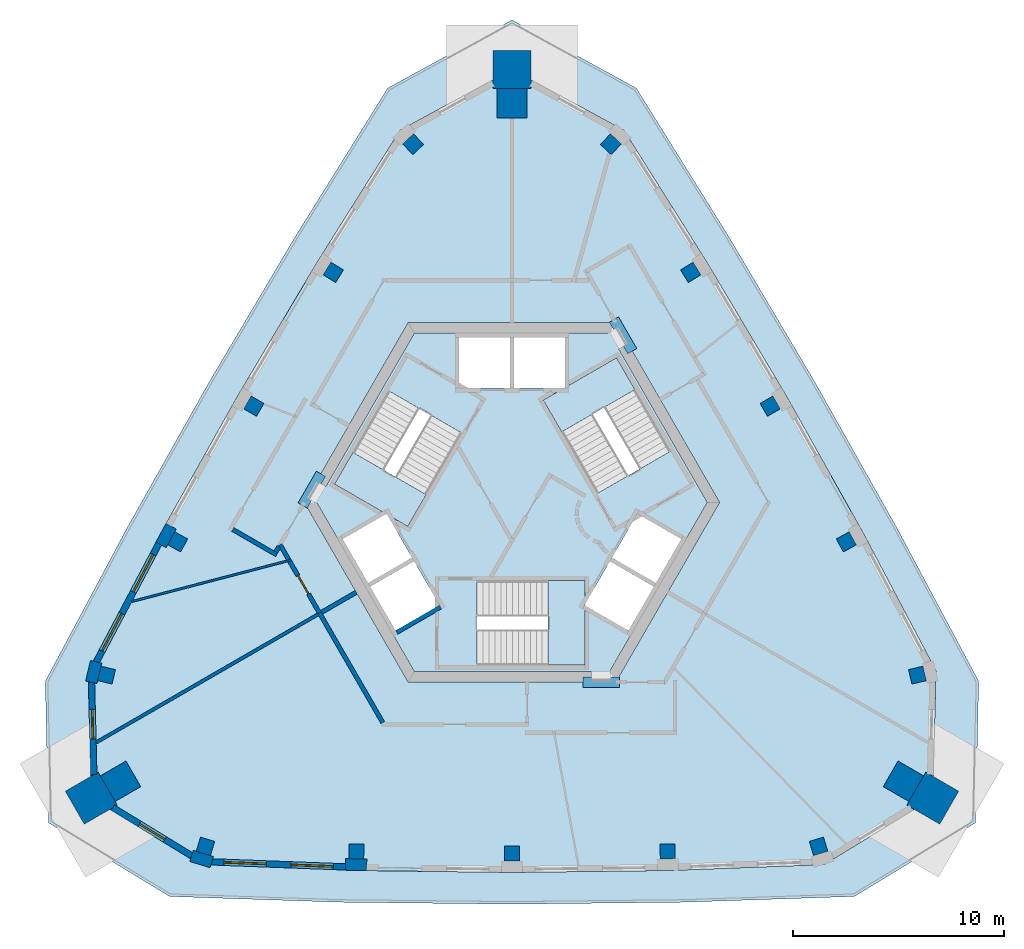
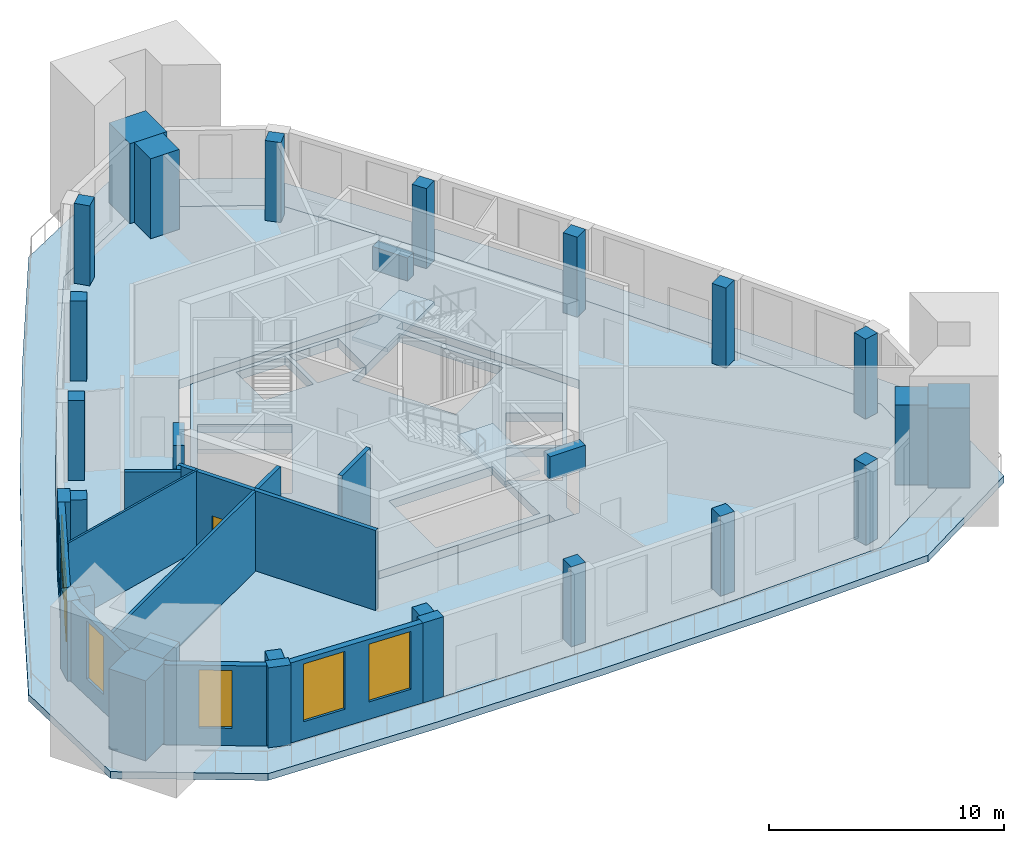
# One storey, part 1 of 7: 21 columns, 17 walls, 6 slabs, 6 windows, 3 beams, 1 door, 7 openings, 3 elements without a shape of their own.
"""IFC4 building model written with IfcOpenShell, lengths in metres."""

from ifc_helpers import new_model, si_unit, direction, frame, frame_2d, origin, origin_2d, place, context, subcontext, project, spatial, polyline, rectangle, outline, extrude, material, layer, layer_set, material_profile, profile_set, type_object, element, fill, aggregate, save


model = new_model("IFC4")

# Units and contexts
model_context = context("Model", 3, precision=1e-05, world=origin(), true_north=direction((0.0, 1.0)))
body_context = subcontext(model_context, "Body", "Model", "MODEL_VIEW")
ifc_project = project(units=[si_unit("LENGTHUNIT", "METRE"), si_unit("AREAUNIT", "SQUARE_METRE"), si_unit("VOLUMEUNIT", "CUBIC_METRE"), si_unit("PLANEANGLEUNIT", "RADIAN"), si_unit("MASSUNIT", "GRAM", prefix="KILO")], contexts=[model_context])

# Site, building, storey
site_placement = place(None, origin())
site = spatial("IfcSite", under=ifc_project, at=site_placement, CompositionType="ELEMENT")
building_placement = place(site_placement, origin())
building = spatial("IfcBuilding", under=site, at=building_placement, Name="Entoto Arch Interchange Tower", CompositionType="ELEMENT")
storey_placement = place(building_placement, frame((0.0, 0.0, 340.39990234375)))
storey = spatial("IfcBuildingStorey", under=building, at=storey_placement, Name="L80", CompositionType="ELEMENT", Elevation=340.39990234375)

# Columns
ifc_material_1 = material(Name="Concrete C40/50", Category="concrete")
ifc_material_profile_1 = material_profile(ifc_material_1, rectangle(XDim=0.699951171875, YDim=0.699951171875, at=origin_2d()))
ifc_profile_set_1 = profile_set([ifc_material_profile_1], Name="Concrete C40/50")
column_type_1 = type_object("IfcColumnType", Name="Column RC 700x700 C40/50", PredefinedType="COLUMN", material=ifc_profile_set_1)
for number, where, z_axis, x_axis, name in (
    (1, (-14.4970703125, -13.76806640625, 0.0), (0.0, 0.0, 1.0), (-0.957344716669, 0.288948253958, 0.0), "Column S01 L80"),
    (2, (-7.35595703125, -14.008056640625, 0.0), (0.0, 0.0, 1.0), (-0.999685941259, 0.02506030426, 0.0), "Column S02 L80"),
    (3, (0.0, -14.10009765625, 0.0), (0.0, 0.0, 1.0), (1.0, 0.0, 0.0), "Column S03 L80"),
    (4, (7.35595703125, -14.008056640625, 0.0), (0.0, 0.0, 1.0), (0.999685941259, 0.02506030426, 0.0), "Column S04 L80"),
    (5, (14.4970703125, -13.76806640625, 0.0), (0.0, 0.0, 1.0), (0.957344716669, 0.288948253958, 0.0), "Column S05 L80"),
    (6, (19.173095703125, -5.6708984375, 0.0), (0.0, 0.0, 1.0), (-0.228435830028, 0.973558971793, 0.0), "Column NE01 L80"),
    (7, (15.81103515625, 0.632080078125, 0.0), (0.0, 0.0, 1.0), (-0.478140110514, 0.878283573066, 0.0), "Column NE02 L80"),
    (8, (12.2109375, 7.050048828125, 0.0), (0.0, 0.0, 1.0), (-0.5, 0.866025403784, 0.0), "Column NE03 L80"),
    (9, (8.451904296875, 13.376953125, 0.0), (0.0, 0.0, 1.0), (-0.521545830745, 0.853223268806, 0.0), "Column NE04 L80"),
    (10, (4.675048828125, 19.43896484375, 0.0), (0.0, 0.0, 1.0), (-0.728908886641, 0.684610717836, 0.0), "Column NE05 L80"),
    (11, (-4.675048828125, 19.43896484375, 0.0), (0.0, 0.0, 1.0), (0.728908886641, 0.684610717836, 0.0), "Column NW01 L80"),
    (12, (-8.451904296875, 13.376953125, 0.0), (0.0, 0.0, 1.0), (0.521545830745, 0.853223268806, 0.0), "Column NW02 L80"),
    (13, (-12.2109375, 7.050048828125, 0.0), (0.0, 0.0, 1.0), (0.5, 0.866025403784, 0.0), "Column NW03 L80"),
    (14, (-15.81103515625, 0.632080078125, 0.0), (0.0, 0.0, 1.0), (0.478140110514, 0.878283573066, 0.0), "Column NW04 L80"),
    (15, (-19.173095703125, -5.6708984375, 0.0), (0.0, 0.0, 1.0), (0.228435830028, 0.973558971793, 0.0), "Column NW05 L80"),
):
    element("IfcColumn", number, at=place(storey_placement, frame(where, z_axis=z_axis, x_axis=x_axis)), inside=storey, type_object=column_type_1, Name=name, PredefinedType="COLUMN", context=body_context, shape_type="SweptSolid", body=[
        extrude(rectangle(XDim=0.699951171875, YDim=0.699951171875, at=origin_2d()), origin(), (0.0, 0.0, 1.0), 4.150146484375),
    ])
ifc_material_2 = material(Name="Precast concrete C40/50", Category="concrete")
ifc_material_profile_2 = material_profile(ifc_material_2, rectangle(XDim=1.800048828125, YDim=1.800048828125, at=origin_2d()))
ifc_profile_set_2 = profile_set([ifc_material_profile_2], Name="Precast concrete C40/50")
column_type_2 = type_object("IfcColumnType", Name="Frame post RC 1800x1800 precast C40/50", PredefinedType="COLUMN", material=ifc_profile_set_2)
for number, where, z_axis, x_axis, name in (
    (16, (19.89794921875, -11.488037109375, 0.0), (0.0, 0.0, 1.0), (-0.866025403784, 0.5, 0.0), "Frame post SE L80"),
    (17, (0.0, 22.97607421875, 0.0), (0.0, 0.0, 1.0), (0.0, 1.0, 0.0), "Frame post N L80"),
    (18, (-19.89794921875, -11.488037109375, 0.0), (0.0, 0.0, 1.0), (0.866025403784, 0.5, 0.0), "Frame post SW L80"),
):
    element("IfcColumn", number, at=place(storey_placement, frame(where, z_axis=z_axis, x_axis=x_axis)), inside=storey, type_object=column_type_2, Name=name, PredefinedType="COLUMN", context=body_context, shape_type="SweptSolid", body=[
        extrude(rectangle(XDim=1.800048828125, YDim=1.800048828125, at=origin_2d()), origin(), (0.0, 0.0, 1.0), 4.150146484375),
    ])
ifc_material_profile_3 = material_profile(ifc_material_1, rectangle(XDim=1.39990234375, YDim=1.39990234375, at=origin_2d()))
ifc_profile_set_3 = profile_set([ifc_material_profile_3], Name="Concrete C40/50")
column_type_3 = type_object("IfcColumnType", Name="Mega column RC 1400x1400 C40/50", PredefinedType="COLUMN", material=ifc_profile_set_3)
for number, where, z_axis, x_axis, name in (
    (19, (18.511962890625, -10.68798828125, 0.0), (0.0, 0.0, 1.0), (-0.866025403784, 0.5, 0.0), "Corner mega column SE1 L80"),
    (20, (0.0, 21.3759765625, 0.0), (0.0, 0.0, 1.0), (0.0, 1.0, 0.0), "Corner mega column N1 L80"),
    (21, (-18.511962890625, -10.68798828125, 0.0), (0.0, 0.0, 1.0), (0.866025403784, 0.5, 0.0), "Corner mega column SW1 L80"),
):
    element("IfcColumn", number, at=place(storey_placement, frame(where, z_axis=z_axis, x_axis=x_axis)), inside=storey, type_object=column_type_3, Name=name, PredefinedType="COLUMN", context=body_context, shape_type="SweptSolid", body=[
        extrude(rectangle(XDim=1.39990234375, YDim=1.39990234375, at=origin_2d()), origin(), (0.0, 0.0, 1.0), 4.150146484375),
    ])

# Beams
ifc_material_profile_4 = material_profile(ifc_material_1, rectangle(XDim=0.5, YDim=1.199951171875, at=origin_2d()))
ifc_profile_set_4 = profile_set([ifc_material_profile_4], Name="Concrete C40/50")
beam_type = type_object("IfcBeamType", Name="Coupling beam RC 500x1200 C40/50", PredefinedType="BEAM", material=ifc_profile_set_4)
for number, where, z_axis, x_axis, name in (
    (22, (5.68603515625, 9.65087890625, 3.0), (-0.500105721196, 0.865964357019, 0.0), (-0.865964357019, -0.500105721196, 0.0), "Coupling beam NE L80"),
    (23, (-9.035888671875, 3.84912109375, 3.0), (-0.500105721196, -0.865964357019, 0.0), (0.865964357019, -0.500105721196, 0.0), "Coupling beam NW L80"),
):
    element("IfcBeam", number, at=place(storey_placement, frame(where, z_axis=z_axis, x_axis=x_axis)), inside=storey, type_object=beam_type, Name=name, PredefinedType="BEAM", context=body_context, shape_type="SweptSolid", body=[
        extrude(rectangle(XDim=0.5, YDim=1.199951171875, at=origin_2d()), origin(), (0.0, 0.0, 1.0), 1.727783203125),
    ])
beam_placement = place(storey_placement, frame((3.35009765625, -6.0, 3.0), z_axis=(1.0, 0.0, 0.0), x_axis=(0.0, 1.0, 0.0)))
element("IfcBeam", 24, at=beam_placement, inside=storey, type_object=beam_type, Name="Coupling beam S L80", PredefinedType="BEAM", context=body_context, shape_type="SweptSolid", body=[
    extrude(rectangle(XDim=0.5, YDim=1.199951171875, at=origin_2d()), origin(), (0.0, 0.0, 1.0), 1.725830078125),
])

# Slab
ifc_layer_1 = layer(ifc_material_1, 0.449951171875)
ifc_layer_set_1 = layer_set([ifc_layer_1], Name="Concrete C40/50")
slab_type_1 = type_object("IfcSlabType", Name="Core floor slab 450 C40/50", PredefinedType="FLOOR", material=ifc_layer_set_1)
slab_1_placement = place(storey_placement, frame((0.0, 0.0, -0.449951171875)))
element("IfcSlab", 25, at=slab_1_placement, inside=storey, type_object=slab_type_1, Name="Core floor slab L80", PredefinedType="FLOOR", context=body_context, shape_type="SweptSolid", body=[
    extrude(outline(polyline([(-9.208984375, 2.449951171875), (-9.222900390625, 2.425048828125), (-9.699951171875, 2.699951171875), (-9.236083984375, 3.501953125), (-8.802978515625, 3.2529296875), (-4.618896484375, 10.5), (4.56103515625, 10.5), (4.5458984375, 10.52490234375), (5.02197265625, 10.800048828125), (5.486083984375, 9.998046875), (5.052978515625, 9.748046875), (9.238037109375, 2.5), (4.64794921875, -5.449951171875), (4.676025390625, -5.449951171875), (4.676025390625, -6.0), (3.75, -6.0), (3.75, -5.5), (-4.618896484375, -5.5), (-9.208984375, 2.449951171875)]), holes=[polyline([(-1.64990234375, -5.199951171875), (3.449951171875, -5.199951171875), (3.449951171875, -2.3779296875), (5.5048828125, -3.56494140625), (6.705078125, -1.487060546875), (4.626953125, -0.287109375), (3.449951171875, -2.324951171875), (3.449951171875, -1.199951171875), (-1.64990234375, -1.199951171875), (-1.64990234375, -5.199951171875)]), polyline([(-4.626953125, -0.287109375), (-6.705078125, -1.487060546875), (-5.5048828125, -3.56494140625), (-3.427001953125, -2.364990234375), (-4.626953125, -0.287109375)]), polyline([(-5.904052734375, 1.925048828125), (-4.928955078125, 1.362060546875), (-2.37890625, 5.779052734375), (-5.843017578125, 7.779052734375), (-8.39306640625, 3.362060546875), (-5.949951171875, 1.951904296875), (-8.0048828125, 0.764892578125), (-6.804931640625, -1.31298828125), (-4.72705078125, -0.113037109375), (-5.904052734375, 1.925048828125)]), polyline([(4.72705078125, -0.113037109375), (6.804931640625, -1.31298828125), (8.0048828125, 0.764892578125), (5.927001953125, 1.965087890625), (4.72705078125, -0.113037109375)]), polyline([(2.5, 7.927001953125), (2.5, 10.300048828125), (0.10009765625, 10.300048828125), (0.10009765625, 7.89990234375), (2.452880859375, 7.89990234375), (1.47900390625, 7.337890625), (4.029052734375, 2.9208984375), (7.492919921875, 4.9208984375), (4.943115234375, 9.337890625), (2.5, 7.927001953125)]), polyline([(-2.5, 7.89990234375), (-0.10009765625, 7.89990234375), (-0.10009765625, 10.300048828125), (-2.5, 10.300048828125), (-2.5, 7.89990234375)])]), origin(), (0.0, 0.0, 1.0), 0.449951171875),
])

# Stair, slab
stair_type = type_object("IfcStairType", Name="EXIT STAIR RC 1700", PredefinedType="HALF_TURN_STAIR", material=ifc_material_1)
stair_1_placement = place(storey_placement, origin())
stair_1 = element("IfcStair", 26, at=stair_1_placement, inside=storey, type_object=stair_type, Name="L80 Exit stair S", PredefinedType="HALF_TURN_STAIR")
ifc_layer_2 = layer(ifc_material_1, 0.199951171875)
ifc_layer_set_2 = layer_set([ifc_layer_2], Name="Concrete C40/50")
slab_type_2 = type_object("IfcSlabType", Name="EXIT STAIR LANDING RC 200", PredefinedType="LANDING", material=ifc_layer_set_2)
slab_2_placement = place(storey_placement, frame((0.0, 0.0, 2.050048828125)))
slab_2 = element("IfcSlab", 27, at=slab_2_placement, type_object=slab_type_2, Name="ST-S landing 1", PredefinedType="LANDING", context=body_context, shape_type="SweptSolid", body=[
    extrude(outline(polyline([(1.7099609375, -5.199951171875), (3.449951171875, -5.199951171875), (3.449951171875, -1.199951171875), (1.7099609375, -1.199951171875), (1.7099609375, -5.199951171875)])), origin(), (0.0, 0.0, 1.0), 0.199951171875),
])
aggregate(stair_1, [slab_2])

stair_2_placement = place(storey_placement, origin())
stair_2 = element("IfcStair", 28, at=stair_2_placement, inside=storey, type_object=stair_type, Name="L80 Exit stair NE", PredefinedType="HALF_TURN_STAIR")
slab_3_placement = place(storey_placement, frame((0.0, 0.0, 2.050048828125)))
slab_3 = element("IfcSlab", 29, at=slab_3_placement, type_object=slab_type_2, Name="ST-NE landing 1", PredefinedType="LANDING", context=body_context, shape_type="SweptSolid", body=[
    extrude(outline(polyline([(5.8134765625, 7.830810546875), (4.943359375, 9.337890625), (1.479248046875, 7.337890625), (2.349365234375, 5.830810546875), (5.8134765625, 7.830810546875)])), origin(), (0.0, 0.0, 1.0), 0.199951171875),
])
aggregate(stair_2, [slab_3])

stair_3_placement = place(storey_placement, origin())
stair_3 = element("IfcStair", 30, at=stair_3_placement, inside=storey, type_object=stair_type, Name="L80 Exit stair NW", PredefinedType="HALF_TURN_STAIR")
slab_4_placement = place(storey_placement, frame((0.0, 0.0, 2.050048828125)))
slab_4 = element("IfcSlab", 31, at=slab_4_placement, type_object=slab_type_2, Name="ST-NW landing 1", PredefinedType="LANDING", context=body_context, shape_type="SweptSolid", body=[
    extrude(outline(polyline([(-7.5234375, 4.869140625), (-8.393310546875, 3.3623046875), (-4.92919921875, 1.3623046875), (-4.059326171875, 2.869140625), (-7.5234375, 4.869140625)])), origin(), (0.0, 0.0, 1.0), 0.199951171875),
])
aggregate(stair_3, [slab_4])

# Slabs
ifc_layer_3 = layer(ifc_material_1, 0.449951171875)
ifc_layer_set_3 = layer_set([ifc_layer_3], Name="Concrete C40/50")
slab_type_3 = type_object("IfcSlabType", Name="Post-tensioned flat plate 450 C40/50", PredefinedType="FLOOR", material=ifc_layer_set_3)
slab_5_placement = place(storey_placement, frame((0.0, 0.0, -0.449951171875)))
element("IfcSlab", 32, at=slab_5_placement, inside=storey, type_object=slab_type_3, Name="Floor slab L80", PredefinedType="FLOOR", context=body_context, shape_type="SweptSolid", body=[
    extrude(outline(polyline([(-14.757080078125, -14.6298828125), (-7.37890625, -14.907958984375), (0.0, -15.0), (7.37890625, -14.907958984375), (14.757080078125, -14.6298828125), (19.89794921875, -11.488037109375), (20.049072265625, -5.465087890625), (16.60107421875, 1.06201171875), (12.989990234375, 7.5), (9.219970703125, 13.845947265625), (5.291015625, 20.094970703125), (0.0, 22.97607421875), (-5.291015625, 20.094970703125), (-9.219970703125, 13.845947265625), (-12.989990234375, 7.5), (-16.60107421875, 1.06201171875), (-20.049072265625, -5.465087890625), (-19.89794921875, -11.488037109375), (-14.757080078125, -14.6298828125)]), holes=[polyline([(4.906982421875, 11.0), (-4.906982421875, 11.0), (-9.81494140625, 2.5), (-4.906982421875, -6.0), (4.906982421875, -6.0), (9.81494140625, 2.5), (4.906982421875, 11.0)])]), origin(), (0.0, 0.0, 1.0), 0.449951171875),
])
ifc_material_3 = material(Name="Board-marked precast concrete C50/60", Category="concrete")
ifc_layer_4 = layer(ifc_material_3, 0.35009765625)
ifc_layer_set_4 = layer_set([ifc_layer_4], Name="Board-marked precast concrete C50/60")
slab_type_4 = type_object("IfcSlabType", Name="TERRACE SLAB 350", PredefinedType="FLOOR", material=ifc_layer_set_4)
slab_6_placement = place(storey_placement, frame((0.0, 0.0, -0.349853515625)))
element("IfcSlab", 33, at=slab_6_placement, inside=storey, type_object=slab_type_4, Name="Crown terrace slab L80", PredefinedType="FLOOR", context=body_context, shape_type="SweptSolid", body=[
    extrude(outline(polyline([(-21.9208984375, -12.656005859375), (-22.071044921875, -5.9560546875), (-18.260009765625, 1.19091796875), (-14.2890625, 8.25), (-10.160888671875, 15.218017578125), (-5.8779296875, 22.092041015625), (0.0, 25.31201171875), (5.8779296875, 22.092041015625), (10.160888671875, 15.218017578125), (14.2890625, 8.25), (18.260009765625, 1.19091796875), (22.071044921875, -5.9560546875), (21.9208984375, -12.656005859375), (16.193115234375, -16.135986328125), (8.096923828125, -16.408935546875), (0.0, -16.5), (-8.096923828125, -16.408935546875), (-16.193115234375, -16.135986328125), (-21.9208984375, -12.656005859375)]), holes=[polyline([(-7.37890625, -14.907958984375), (0.0, -15.0), (7.37890625, -14.907958984375), (14.757080078125, -14.6298828125), (19.89794921875, -11.488037109375), (20.049072265625, -5.465087890625), (16.60107421875, 1.06201171875), (12.989990234375, 7.5), (9.219970703125, 13.845947265625), (5.291015625, 20.094970703125), (0.0, 22.97607421875), (-5.291015625, 20.094970703125), (-9.219970703125, 13.845947265625), (-12.989990234375, 7.5), (-16.60107421875, 1.06201171875), (-20.049072265625, -5.465087890625), (-19.89794921875, -11.488037109375), (-14.757080078125, -14.6298828125), (-7.37890625, -14.907958984375)])]), origin(), (0.0, 0.0, 1.0), 0.349853515625),
])

# Walls
ifc_layer_5 = layer(ifc_material_1, 0.199951171875)
ifc_layer_set_5 = layer_set([ifc_layer_5], Name="Concrete C40/50")
wall_type_1 = type_object("IfcWallType", Name="LIFT SHAFT WALL 200", PredefinedType="STANDARD", material=ifc_layer_set_5)
wall_1_placement = place(storey_placement, frame((-3.376953125, -2.451904296875, 0.0), z_axis=(0.0, 0.0, 1.0), x_axis=(-0.865955154139, -0.50012165622, 0.0)))
element("IfcWall", 34, at=wall_1_placement, inside=storey, type_object=wall_type_1, Name="Shaft wall SW1 cross 3", PredefinedType="STANDARD", context=body_context, shape_type="SweptSolid", body=[
    extrude(rectangle(XDim=2.39990234375, YDim=0.199951171875, at=frame_2d((1.199951171875, 0.0))), origin(), (0.0, 0.0, 1.0), 4.150146484375),
])
ifc_material_4 = material(Name="Gypsum board partition on steel studs", Category="steel")
ifc_layer_6 = layer(ifc_material_4, 0.10009765625)
ifc_layer_set_6 = layer_set([ifc_layer_6], Name="Gypsum board partition on steel studs")
wall_type_2 = type_object("IfcWallType", Name="PARTITION 100", PredefinedType="PARTITIONING", material=ifc_layer_set_6)
wall_2_placement = place(storey_placement, frame((-10.44091796875, -0.222900390625, 0.0), z_axis=(0.0, 0.0, 1.0), x_axis=(-0.967629585061, -0.252374693888, 0.0)))
element("IfcWall", 35, at=wall_2_placement, inside=storey, type_object=wall_type_2, Name="wall:L80:p050", PredefinedType="PARTITIONING", context=body_context, shape_type="SweptSolid", body=[
    extrude(rectangle(XDim=7.790283203125, YDim=0.10009765625, at=frame_2d((3.89501953125, 0.0))), origin(), (0.0, 0.0, 1.0), 4.150146484375),
])
ifc_layer_7 = layer(ifc_material_4, 0.14990234375)
ifc_layer_set_7 = layer_set([ifc_layer_7], Name="Gypsum board partition on steel studs")
wall_type_3 = type_object("IfcWallType", Name="PARTITION 150", PredefinedType="PARTITIONING", material=ifc_layer_set_7)
wall_3_placement = place(storey_placement, frame((-19.6640625, -8.85302734375, 0.0), z_axis=(0.0, 0.0, 1.0), x_axis=(0.866035935173, 0.499981758657, 0.0)))
element("IfcWall", 36, at=wall_3_placement, inside=storey, type_object=wall_type_3, Name="wall:L80:p025", PredefinedType="PARTITIONING", context=body_context, shape_type="SweptSolid", body=[
    extrude(rectangle(XDim=12.306640625, YDim=0.14990234375, at=frame_2d((6.1533203125, 0.0))), origin(), (0.0, 0.0, 1.0), 4.150146484375),
])
ifc_layer_8 = layer(ifc_material_4, 0.199951171875)
ifc_layer_set_8 = layer_set([ifc_layer_8], Name="Gypsum board partition on steel studs")
wall_type_4 = type_object("IfcWallType", Name="PARTITION 200", PredefinedType="PARTITIONING", material=ifc_layer_set_8)
wall_4_placement = place(storey_placement, frame((-6.112060546875, -7.9130859375, 0.0), z_axis=(0.0, 0.0, 1.0), x_axis=(-0.499915430684, 0.866074224396, 0.0)))
element("IfcWall", 37, at=wall_4_placement, inside=storey, type_object=wall_type_4, Name="wall:L80:p019", PredefinedType="PARTITIONING", context=body_context, shape_type="SweptSolid", body=[
    extrude(rectangle(XDim=5.98681640625, YDim=0.199951171875, at=frame_2d((2.993408203125, 0.0))), origin(), (0.0, 0.0, 1.0), 4.150146484375),
])
wall_5_placement = place(storey_placement, frame((-9.006103515625, -2.699951171875, 0.0), z_axis=(0.0, 0.0, 1.0), x_axis=(0.865980106173, 0.500078449558, 0.0)))
element("IfcWall", 38, at=wall_5_placement, inside=storey, type_object=wall_type_4, Name="wall:L80:p020", PredefinedType="PARTITIONING", context=body_context, shape_type="SweptSolid", body=[
    extrude(rectangle(XDim=1.899658203125, YDim=0.199951171875, at=frame_2d((0.94970703125, 0.0))), origin(), (0.0, 0.0, 1.0), 4.150146484375),
])
wall_6_placement = place(storey_placement, frame((-11.02001953125, 0.4130859375, 0.0), z_axis=(0.0, 0.0, 1.0), x_axis=(-0.500222587251, -0.865896854829, 0.0)))
element("IfcWall", 39, at=wall_6_placement, inside=storey, type_object=wall_type_4, Name="wall:L80:p041", PredefinedType="PARTITIONING", context=body_context, shape_type="SweptSolid", body=[
    extrude(rectangle(XDim=0.295654296875, YDim=0.199951171875, at=frame_2d((0.14794921875, 0.0))), origin(), (0.0, 0.0, 1.0), 4.150146484375),
])
wall_7_placement = place(storey_placement, frame((-11.131103515625, 0.02001953125, 0.0), z_axis=(0.0, 0.0, 1.0), x_axis=(-0.865973769406, 0.500089422704, 0.0)))
element("IfcWall", 40, at=wall_7_placement, inside=storey, type_object=wall_type_4, Name="wall:L80:p042", PredefinedType="PARTITIONING", context=body_context, shape_type="SweptSolid", body=[
    extrude(rectangle(XDim=2.3994140625, YDim=0.199951171875, at=frame_2d((1.19970703125, 0.0))), origin(), (0.0, 0.0, 1.0), 4.150146484375),
])
wall_8_placement = place(storey_placement, frame((-10.56298828125, -0.205078125, 0.0), z_axis=(0.0, 0.0, 1.0), x_axis=(-0.499912825186, 0.866075728337, 0.0)))
element("IfcWall", 41, at=wall_8_placement, inside=storey, type_object=wall_type_4, Name="wall:L80:p047", PredefinedType="PARTITIONING", context=body_context, shape_type="SweptSolid", body=[
    extrude(rectangle(XDim=0.814208984375, YDim=0.199951171875, at=frame_2d((0.4072265625, 0.0))), origin(), (0.0, 0.0, 1.0), 4.150146484375),
])

# Wall, opening, door
wall_9_placement = place(storey_placement, frame((-9.10498046875, -2.72802734375, 0.0), z_axis=(0.0, 0.0, 1.0), x_axis=(-0.500253029287, 0.865879267963, 0.0)))
wall_9 = element("IfcWall", 42, at=wall_9_placement, inside=storey, type_object=wall_type_4, Name="wall:L80:p048", PredefinedType="PARTITIONING", context=body_context, shape_type="SweptSolid", body=[
    extrude(rectangle(XDim=2.814453125, YDim=0.199951171875, at=frame_2d((1.4072265625, 0.0))), origin(), (0.0, 0.0, 1.0), 4.150146484375),
])
opening_1_placement = place(wall_9_placement, frame((1.033935546875, 0.0, 0.0)))
opening_1 = element("IfcOpeningElement", 43, at=opening_1_placement, cuts=wall_9, Name="Opening L80-D15", PredefinedType="OPENING", context=body_context, shape_type="SweptSolid", body=[
    extrude(rectangle(XDim=1.0, YDim=2.10009765625, at=frame_2d((0.5, 1.050048828125))), frame((0.0, 0.10986328125, 0.0), z_axis=(0.0, -1.0, 0.0), x_axis=(1.0, 0.0, 0.0)), (0.0, 0.0, 1.0), 0.219970703125),
])
ifc_material_5 = material(Name="Timber door leaf in Steel S235 frame", Category="steel")
door_type = type_object("IfcDoorType", Name="DOOR DS-10 1000x2100", OperationType="SINGLE_SWING_LEFT", PredefinedType="DOOR", material=ifc_material_5)
door_placement = place(opening_1_placement, origin())
door = element("IfcDoor", 44, at=door_placement, inside=storey, type_object=door_type, Name="door:L80:15", OperationType="SINGLE_SWING_LEFT", OverallHeight=2.10009765625, OverallWidth=1.0, PredefinedType="DOOR", context=body_context, shape_type="SweptSolid", body=[
    extrude(rectangle(XDim=1.0, YDim=2.10009765625, at=frame_2d((0.5, 1.050048828125))), frame((0.0, 0.02490234375, 0.0), z_axis=(0.0, -1.0, 0.0), x_axis=(1.0, 0.0, 0.0)), (0.0, 0.0, 1.0), 0.050048828125),
])
fill(opening_1, door)

# Wall, openings, windows
ifc_material_6 = material(Name="Welded tuff (ignimbrite) cladding, warm buff", Category="masonry")
ifc_layer_9 = layer(ifc_material_6, 0.300048828125)
ifc_layer_set_9 = layer_set([ifc_layer_9], Name="Welded tuff (ignimbrite) cladding, warm buff")
wall_type_5 = type_object("IfcWallType", Name="STONE INFILL WALL 300", PredefinedType="STANDARD", material=ifc_layer_set_9)
wall_10_placement = place(storey_placement, frame((-14.197021484375, -14.5009765625, 0.0), z_axis=(0.0, 0.0, 1.0), x_axis=(0.999292132587, -0.03761959262, 0.0)))
wall_10 = element("IfcWall", 45, at=wall_10_placement, inside=storey, type_object=wall_type_5, Name="Facade wall S-01 L80", PredefinedType="STANDARD", context=body_context, shape_type="SweptSolid", body=[
    extrude(rectangle(XDim=6.327392578125, YDim=0.300048828125, at=frame_2d((3.16357421875, 0.0))), origin(), (0.0, 0.0, 1.0), 4.150146484375),
])
opening_2_placement = place(wall_10_placement, frame((0.58203125, 0.0, 0.89990234375)))
opening_2 = element("IfcOpeningElement", 46, at=opening_2_placement, cuts=wall_10, Name="Opening WK-C", PredefinedType="OPENING", context=body_context, shape_type="SweptSolid", body=[
    extrude(rectangle(XDim=2.0, YDim=3.0, at=frame_2d((1.0, 1.5))), frame((0.0, 0.16015625, 0.0), z_axis=(0.0, -1.0, 0.0), x_axis=(1.0, 0.0, 0.0)), (0.0, 0.0, 1.0), 0.320068359375),
])
opening_3_placement = place(wall_10_placement, frame((3.74609375, 0.0, 0.89990234375)))
opening_3 = element("IfcOpeningElement", 47, at=opening_3_placement, cuts=wall_10, Name="Opening WK-C", PredefinedType="OPENING", context=body_context, shape_type="SweptSolid", body=[
    extrude(rectangle(XDim=2.0, YDim=3.0, at=frame_2d((1.0, 1.5))), frame((0.0, 0.16015625, 0.0), z_axis=(0.0, -1.0, 0.0), x_axis=(1.0, 0.0, 0.0)), (0.0, 0.0, 1.0), 0.320068359375),
])
ifc_material_7 = material(Name="Clear glass, low-e double glazed", Category="glass")
window_type_1 = type_object("IfcWindowType", Name="WINDOW WK-C 2000x3000", PartitioningType="DOUBLE_PANEL_VERTICAL", PredefinedType="WINDOW", material=ifc_material_7)
window_1_placement = place(opening_2_placement, origin())
window_1 = element("IfcWindow", 48, at=window_1_placement, inside=storey, type_object=window_type_1, Name="Window WK-C S-01 L80", OverallHeight=3.0, OverallWidth=2.0, PartitioningType="SINGLE_PANEL", PredefinedType="WINDOW", context=body_context, shape_type="SweptSolid", body=[
    extrude(rectangle(XDim=2.0, YDim=3.0, at=frame_2d((1.0, 1.5))), frame((0.0, 0.030029296875, 0.0), z_axis=(0.0, -1.0, 0.0), x_axis=(1.0, 0.0, 0.0)), (0.0, 0.0, 1.0), 0.06005859375),
])
fill(opening_2, window_1)
window_2_placement = place(opening_3_placement, origin())
window_2 = element("IfcWindow", 49, at=window_2_placement, inside=storey, type_object=window_type_1, Name="Window WK-C S-01 L80", OverallHeight=3.0, OverallWidth=2.0, PartitioningType="SINGLE_PANEL", PredefinedType="WINDOW", context=body_context, shape_type="SweptSolid", body=[
    extrude(rectangle(XDim=2.0, YDim=3.0, at=frame_2d((1.0, 1.5))), frame((0.0, 0.030029296875, 0.0), z_axis=(0.0, -1.0, 0.0), x_axis=(1.0, 0.0, 0.0)), (0.0, 0.0, 1.0), 0.06005859375),
])
fill(opening_3, window_2)

wall_11_placement = place(storey_placement, frame((-16.701904296875, 0.549072265625, 0.0), z_axis=(0.0, 0.0, 1.0), x_axis=(-0.467155191513, -0.884175337274, 0.0)))
wall_11 = element("IfcWall", 50, at=wall_11_placement, inside=storey, type_object=wall_type_5, Name="Facade wall NW-04 L80", PredefinedType="STANDARD", context=body_context, shape_type="SweptSolid", body=[
    extrude(rectangle(XDim=6.32568359375, YDim=0.300048828125, at=frame_2d((3.162841796875, 0.0))), origin(), (0.0, 0.0, 1.0), 4.150146484375),
])
opening_4_placement = place(wall_11_placement, frame((0.5810546875, 0.0, 0.89990234375)))
opening_4 = element("IfcOpeningElement", 51, at=opening_4_placement, cuts=wall_11, Name="Opening WK-C", PredefinedType="OPENING", context=body_context, shape_type="SweptSolid", body=[
    extrude(rectangle(XDim=2.0, YDim=3.0, at=frame_2d((1.0, 1.5))), frame((0.0, 0.16015625, 0.0), z_axis=(0.0, -1.0, 0.0), x_axis=(1.0, 0.0, 0.0)), (0.0, 0.0, 1.0), 0.320068359375),
])
opening_5_placement = place(wall_11_placement, frame((3.743896484375, 0.0, 0.89990234375)))
opening_5 = element("IfcOpeningElement", 52, at=opening_5_placement, cuts=wall_11, Name="Opening WK-C", PredefinedType="OPENING", context=body_context, shape_type="SweptSolid", body=[
    extrude(rectangle(XDim=2.0, YDim=3.0, at=frame_2d((1.0, 1.5))), frame((0.0, 0.16015625, 0.0), z_axis=(0.0, -1.0, 0.0), x_axis=(1.0, 0.0, 0.0)), (0.0, 0.0, 1.0), 0.320068359375),
])
window_3_placement = place(opening_4_placement, origin())
window_3 = element("IfcWindow", 53, at=window_3_placement, inside=storey, type_object=window_type_1, Name="Window WK-C NW-04 L80", OverallHeight=3.0, OverallWidth=2.0, PartitioningType="SINGLE_PANEL", PredefinedType="WINDOW", context=body_context, shape_type="SweptSolid", body=[
    extrude(rectangle(XDim=2.0, YDim=3.0, at=frame_2d((1.0, 1.5))), frame((0.0, 0.030029296875, 0.0), z_axis=(0.0, -1.0, 0.0), x_axis=(1.0, 0.0, 0.0)), (0.0, 0.0, 1.0), 0.06005859375),
])
fill(opening_4, window_3)
window_4_placement = place(opening_5_placement, origin())
window_4 = element("IfcWindow", 54, at=window_4_placement, inside=storey, type_object=window_type_1, Name="Window WK-C NW-04 L80", OverallHeight=3.0, OverallWidth=2.0, PartitioningType="SINGLE_PANEL", PredefinedType="WINDOW", context=body_context, shape_type="SweptSolid", body=[
    extrude(rectangle(XDim=2.0, YDim=3.0, at=frame_2d((1.0, 1.5))), frame((0.0, 0.030029296875, 0.0), z_axis=(0.0, -1.0, 0.0), x_axis=(1.0, 0.0, 0.0)), (0.0, 0.0, 1.0), 0.06005859375),
])
fill(opening_5, window_4)

# Wall, opening, window
wall_12_placement = place(storey_placement, frame((-19.885009765625, -6.01611328125, 0.0), z_axis=(0.0, 0.0, 1.0), x_axis=(0.025006167975, -0.99968729689, 0.0)))
wall_12 = element("IfcWall", 55, at=wall_12_placement, inside=storey, type_object=wall_type_5, Name="Facade wall SW-01 L80", PredefinedType="STANDARD", context=body_context, shape_type="SweptSolid", body=[
    extrude(rectangle(XDim=4.3642578125, YDim=0.300048828125, at=frame_2d((2.18212890625, 0.0))), origin(), (0.0, 0.0, 1.0), 4.150146484375),
])
opening_6_placement = place(wall_12_placement, frame((1.27294921875, 0.0, 0.89990234375)))
opening_6 = element("IfcOpeningElement", 56, at=opening_6_placement, cuts=wall_12, Name="Opening WK-B", PredefinedType="OPENING", context=body_context, shape_type="SweptSolid", body=[
    extrude(rectangle(XDim=1.39990234375, YDim=3.0, at=frame_2d((0.699951171875, 1.5))), frame((0.0, 0.16015625, 0.0), z_axis=(0.0, -1.0, 0.0), x_axis=(1.0, 0.0, 0.0)), (0.0, 0.0, 1.0), 0.320068359375),
])
window_type_2 = type_object("IfcWindowType", Name="WINDOW WK-B 1400x3000", PartitioningType="DOUBLE_PANEL_VERTICAL", PredefinedType="WINDOW", material=ifc_material_7)
window_5_placement = place(opening_6_placement, origin())
window_5 = element("IfcWindow", 57, at=window_5_placement, inside=storey, type_object=window_type_2, Name="Window WK-B SW-01 L80", OverallHeight=3.0, OverallWidth=1.39990234375, PartitioningType="SINGLE_PANEL", PredefinedType="WINDOW", context=body_context, shape_type="SweptSolid", body=[
    extrude(rectangle(XDim=1.39990234375, YDim=3.0, at=frame_2d((0.699951171875, 1.5))), frame((0.0, 0.030029296875, 0.0), z_axis=(0.0, -1.0, 0.0), x_axis=(1.0, 0.0, 0.0)), (0.0, 0.0, 1.0), 0.06005859375),
])
fill(opening_6, window_5)

wall_13_placement = place(storey_placement, frame((-18.876953125, -11.93603515625, 0.0), z_axis=(0.0, 0.0, 1.0), x_axis=(0.853225151066, -0.521542751448, 0.0)))
wall_13 = element("IfcWall", 58, at=wall_13_placement, inside=storey, type_object=wall_type_5, Name="Facade wall SW-02 L80", PredefinedType="STANDARD", context=body_context, shape_type="SweptSolid", body=[
    extrude(rectangle(XDim=4.36572265625, YDim=0.300048828125, at=frame_2d((2.182861328125, 0.0))), origin(), (0.0, 0.0, 1.0), 4.150146484375),
])
opening_7_placement = place(wall_13_placement, frame((1.48291015625, 0.0, 0.89990234375)))
opening_7 = element("IfcOpeningElement", 59, at=opening_7_placement, cuts=wall_13, Name="Opening WK-B", PredefinedType="OPENING", context=body_context, shape_type="SweptSolid", body=[
    extrude(rectangle(XDim=1.39990234375, YDim=3.0, at=frame_2d((0.699951171875, 1.5))), frame((0.0, 0.16015625, 0.0), z_axis=(0.0, -1.0, 0.0), x_axis=(1.0, 0.0, 0.0)), (0.0, 0.0, 1.0), 0.320068359375),
])
window_6_placement = place(opening_7_placement, origin())
window_6 = element("IfcWindow", 60, at=window_6_placement, inside=storey, type_object=window_type_2, Name="Window WK-B SW-02 L80", OverallHeight=3.0, OverallWidth=1.39990234375, PartitioningType="SINGLE_PANEL", PredefinedType="WINDOW", context=body_context, shape_type="SweptSolid", body=[
    extrude(rectangle(XDim=1.39990234375, YDim=3.0, at=frame_2d((0.699951171875, 1.5))), frame((0.0, 0.030029296875, 0.0), z_axis=(0.0, -1.0, 0.0), x_axis=(1.0, 0.0, 0.0)), (0.0, 0.0, 1.0), 0.06005859375),
])
fill(opening_7, window_6)

# Walls
ifc_layer_10 = layer(ifc_material_6, 0.550048828125)
ifc_layer_set_10 = layer_set([ifc_layer_10], Name="Welded tuff (ignimbrite) cladding, warm buff")
wall_type_6 = type_object("IfcWallType", Name="STONE PIER CLADDING 550", PredefinedType="STANDARD", material=ifc_layer_set_10)
wall_14_placement = place(storey_placement, frame((-16.1201171875, 1.3701171875, 0.0), z_axis=(0.0, 0.0, 1.0), x_axis=(-0.478442030542, -0.878119139645, 0.0)))
element("IfcWall", 61, at=wall_14_placement, inside=storey, type_object=wall_type_6, Name="Stone pier NW04 L80", PredefinedType="STANDARD", context=body_context, shape_type="SweptSolid", body=[
    extrude(rectangle(XDim=1.001220703125, YDim=0.550048828125, at=frame_2d((0.50048828125, 0.0))), origin(), (0.0, 0.0, 1.0), 4.150146484375),
])
wall_15_placement = place(storey_placement, frame((-19.6669921875, -5.041015625, 0.0), z_axis=(0.0, 0.0, 1.0), x_axis=(-0.227978015861, -0.97366627973, 0.0)))
element("IfcWall", 62, at=wall_15_placement, inside=storey, type_object=wall_type_6, Name="Stone pier NW05 L80", PredefinedType="STANDARD", context=body_context, shape_type="SweptSolid", body=[
    extrude(rectangle(XDim=1.000244140625, YDim=0.550048828125, at=frame_2d((0.5, 0.0))), origin(), (0.0, 0.0, 1.0), 4.150146484375),
])
wall_16_placement = place(storey_placement, frame((-15.156005859375, -14.221923828125, 0.0), z_axis=(0.0, 0.0, 1.0), x_axis=(0.957286907321, -0.289139718946, 0.0)))
element("IfcWall", 63, at=wall_16_placement, inside=storey, type_object=wall_type_6, Name="Stone pier S01 L80", PredefinedType="STANDARD", context=body_context, shape_type="SweptSolid", body=[
    extrude(rectangle(XDim=0.999755859375, YDim=0.550048828125, at=frame_2d((0.5, 0.0))), origin(), (0.0, 0.0, 1.0), 4.150146484375),
])
wall_17_placement = place(storey_placement, frame((-7.8720703125, -14.62109375, 0.0), z_axis=(0.0, 0.0, 1.0), x_axis=(0.999690080772, -0.024894626035, 0.0)))
element("IfcWall", 64, at=wall_17_placement, inside=storey, type_object=wall_type_6, Name="Stone pier S02 L80", PredefinedType="STANDARD", context=body_context, shape_type="SweptSolid", body=[
    extrude(rectangle(XDim=1.000244140625, YDim=0.550048828125, at=frame_2d((0.5, 0.0))), origin(), (0.0, 0.0, 1.0), 4.150146484375),
])

save(model, "model.ifc")
